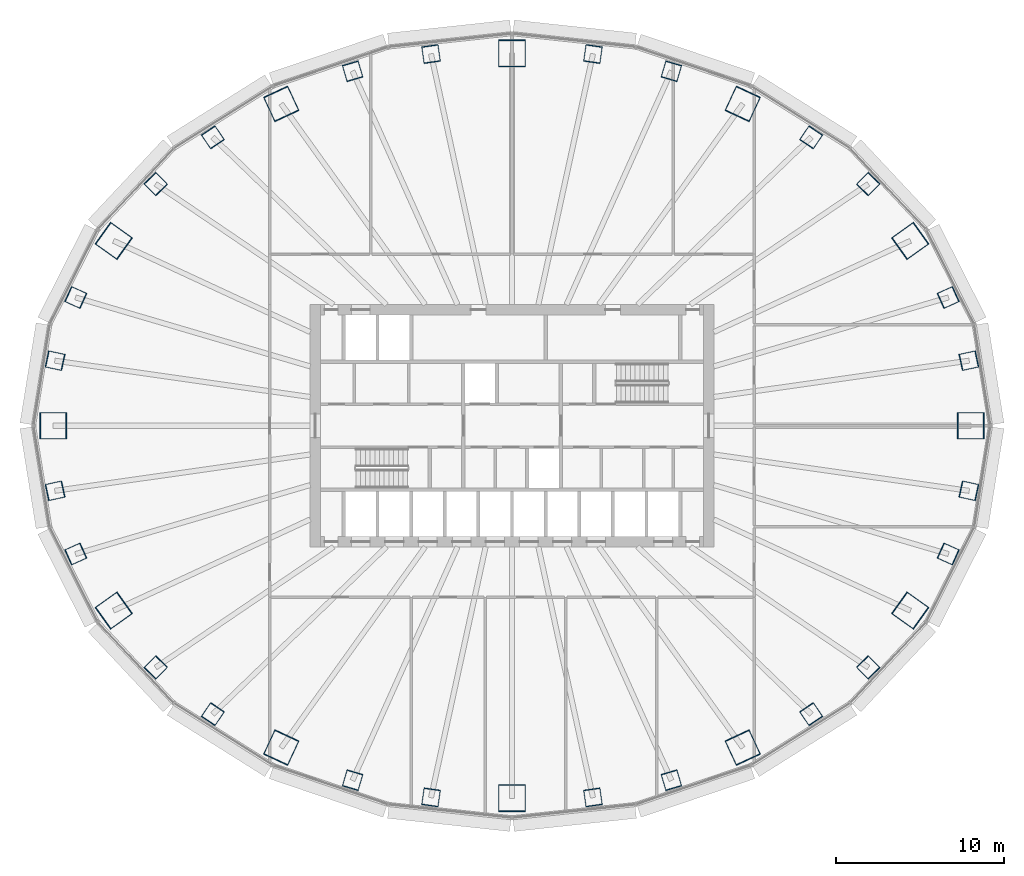
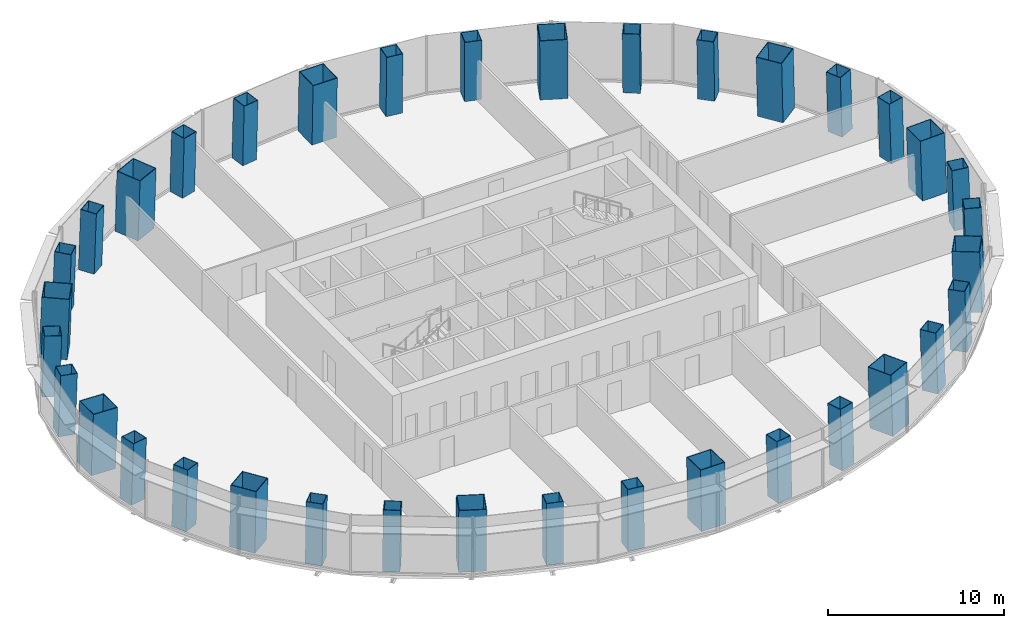
# One storey, part 1 of 13: 36 columns.
"""IFC4 building model written with IfcOpenShell, lengths in metres."""

from ifc_helpers import new_model, si_unit, direction, frame, origin, origin_2d, place, context, subcontext, project, spatial, hollow_rectangle, extrude, material, material_profile, profile_set, type_object, element, save


model = new_model("IFC4")

# Units and contexts
model_context = context("Model", 3, precision=1e-05, world=origin(), true_north=direction((0.0, 1.0)))
body_context = subcontext(model_context, "Body", "Model", "MODEL_VIEW")
ifc_project = project(units=[si_unit("LENGTHUNIT", "METRE"), si_unit("AREAUNIT", "SQUARE_METRE"), si_unit("VOLUMEUNIT", "CUBIC_METRE"), si_unit("PLANEANGLEUNIT", "RADIAN"), si_unit("MASSUNIT", "GRAM", prefix="KILO")], contexts=[model_context])

# Site, building, storey
site_placement = place(None, origin())
site = spatial("IfcSite", under=ifc_project, at=site_placement, CompositionType="ELEMENT")
building_placement = place(site_placement, origin())
building = spatial("IfcBuilding", under=site, at=building_placement, Name="Siaravel Broadcast Tower", CompositionType="ELEMENT")
storey_placement = place(building_placement, frame((0.0, 0.0, 32.89990234375)))
storey = spatial("IfcBuildingStorey", under=building, at=storey_placement, Name="L06", CompositionType="ELEMENT", Elevation=32.89990234375)

# Columns
ifc_material = material(Name="Concrete C70/85", Category="concrete")
ifc_material_profile_1 = material_profile(ifc_material, hollow_rectangle(XDim=1.0, YDim=1.0, WallThickness=0.031982421875, at=origin_2d()))
ifc_profile_set_1 = profile_set([ifc_material_profile_1], Name="Concrete C70/85")
column_type_1 = type_object("IfcColumnType", Name="COL-CFT BOX 1000x1000x32", PredefinedType="COLUMN", material=ifc_profile_set_1)
for number, where, z_axis, x_axis, name in (
    (1, (27.18994140625, 3.87158203125, 0.0), (-0.034041699, -0.004879697, 0.999408501), (0.211308706, -0.977416364, 0.002425246), "Perimeter column C01"),
    (2, (25.959716796875, 7.632568359375, 0.0), (-0.032531808, -0.00970145, 0.999423616), (0.409521183, -0.912289636, 0.004474511), "Perimeter column C02"),
):
    element("IfcColumn", number, at=place(storey_placement, frame(where, z_axis=z_axis, x_axis=x_axis)), inside=storey, type_object=column_type_1, Name=name, PredefinedType="COLUMN", context=body_context, shape_type="SweptSolid", body=[
        extrude(hollow_rectangle(XDim=1.0, YDim=1.0, WallThickness=0.031982421875, at=origin_2d()), origin(), (0.0, 0.0, 1.0), 4.20263671875),
    ])
column_1_placement = place(storey_placement, frame((21.19970703125, 14.382568359375, 0.0), z_axis=(-0.026549804, -0.018242097, 0.999481032), x_axis=(0.719600401, -0.694358526, 0.006442037)))
element("IfcColumn", 3, at=column_1_placement, inside=storey, type_object=column_type_1, Name="Perimeter column C03", PredefinedType="COLUMN", context=body_context, shape_type="SweptSolid", body=[
    extrude(hollow_rectangle(XDim=1.0, YDim=1.0, WallThickness=0.031982421875, at=origin_2d()), origin(), (0.0, 0.0, 1.0), 4.202392578125),
])
column_2_placement = place(storey_placement, frame((17.80419921875, 17.163330078125, 0.0), z_axis=(-0.022193426, -0.021728642, 0.999517543), x_axis=(0.828409082, -0.560089034, 0.006218261)))
element("IfcColumn", 4, at=column_2_placement, inside=storey, type_object=column_type_1, Name="Perimeter column C04", PredefinedType="COLUMN", context=body_context, shape_type="SweptSolid", body=[
    extrude(hollow_rectangle(XDim=1.0, YDim=1.0, WallThickness=0.031982421875, at=origin_2d()), origin(), (0.0, 0.0, 1.0), 4.2021484375),
])
for number, where, z_axis, x_axis, name in (
    (5, (9.486083984375, 21.095947265625, 0.0), (-0.011852675, -0.026610418, 0.99957561), (0.959296522, -0.282374397, 0.003857767), "Perimeter column C05"),
    (6, (4.81787109375, 22.12060546875, 0.0), (-0.006042634, -0.027947183, 0.999591137), (0.98993999, -0.141473321, 0.002028894), "Perimeter column C06"),
    (7, (-4.81787109375, 22.12060546875, 0.0), (0.006042634, -0.027947183, 0.999591137), (0.98993999, 0.141473321, -0.002028894), "Perimeter column C07"),
    (8, (-9.486083984375, 21.095947265625, 0.0), (0.011852675, -0.026610418, 0.99957561), (0.959296522, 0.282374397, -0.003857767), "Perimeter column C08"),
):
    element("IfcColumn", number, at=place(storey_placement, frame(where, z_axis=z_axis, x_axis=x_axis)), inside=storey, type_object=column_type_1, Name=name, PredefinedType="COLUMN", context=body_context, shape_type="SweptSolid", body=[
        extrude(hollow_rectangle(XDim=1.0, YDim=1.0, WallThickness=0.031982421875, at=origin_2d()), origin(), (0.0, 0.0, 1.0), 4.201904296875),
    ])
column_3_placement = place(storey_placement, frame((-17.80419921875, 17.163330078125, 0.0), z_axis=(0.022193426, -0.021728642, 0.999517543), x_axis=(0.828409082, 0.560089034, -0.006218261)))
element("IfcColumn", 9, at=column_3_placement, inside=storey, type_object=column_type_1, Name="Perimeter column C09", PredefinedType="COLUMN", context=body_context, shape_type="SweptSolid", body=[
    extrude(hollow_rectangle(XDim=1.0, YDim=1.0, WallThickness=0.031982421875, at=origin_2d()), origin(), (0.0, 0.0, 1.0), 4.2021484375),
])
column_4_placement = place(storey_placement, frame((-21.19970703125, 14.382568359375, 0.0), z_axis=(0.026549804, -0.018242097, 0.999481032), x_axis=(0.719600401, 0.694358526, -0.006442037)))
element("IfcColumn", 10, at=column_4_placement, inside=storey, type_object=column_type_1, Name="Perimeter column C10", PredefinedType="COLUMN", context=body_context, shape_type="SweptSolid", body=[
    extrude(hollow_rectangle(XDim=1.0, YDim=1.0, WallThickness=0.031982421875, at=origin_2d()), origin(), (0.0, 0.0, 1.0), 4.202392578125),
])
for number, where, z_axis, x_axis, name in (
    (11, (-25.959716796875, 7.632568359375, 0.0), (0.032531808, -0.00970145, 0.999423616), (0.409521183, 0.912289636, -0.004474511), "Perimeter column C11"),
    (12, (-27.18994140625, 3.87158203125, 0.0), (0.034041699, -0.004879697, 0.999408501), (0.211308706, 0.977416364, -0.002425246), "Perimeter column C12"),
    (13, (-27.18994140625, -3.87158203125, 0.0), (0.034041699, 0.004879697, 0.999408501), (-0.211308706, 0.977416364, 0.002425246), "Perimeter column C13"),
    (14, (-25.959716796875, -7.632568359375, 0.0), (0.032531808, 0.00970145, 0.999423616), (-0.409521183, 0.912289636, 0.004474511), "Perimeter column C14"),
):
    element("IfcColumn", number, at=place(storey_placement, frame(where, z_axis=z_axis, x_axis=x_axis)), inside=storey, type_object=column_type_1, Name=name, PredefinedType="COLUMN", context=body_context, shape_type="SweptSolid", body=[
        extrude(hollow_rectangle(XDim=1.0, YDim=1.0, WallThickness=0.031982421875, at=origin_2d()), origin(), (0.0, 0.0, 1.0), 4.20263671875),
    ])
column_5_placement = place(storey_placement, frame((-21.19970703125, -14.382568359375, 0.0), z_axis=(0.026549804, 0.018242097, 0.999481032), x_axis=(-0.719600401, 0.694358526, 0.006442037)))
element("IfcColumn", 15, at=column_5_placement, inside=storey, type_object=column_type_1, Name="Perimeter column C15", PredefinedType="COLUMN", context=body_context, shape_type="SweptSolid", body=[
    extrude(hollow_rectangle(XDim=1.0, YDim=1.0, WallThickness=0.031982421875, at=origin_2d()), origin(), (0.0, 0.0, 1.0), 4.202392578125),
])
column_6_placement = place(storey_placement, frame((-17.80419921875, -17.163330078125, 0.0), z_axis=(0.022193426, 0.021728642, 0.999517543), x_axis=(-0.828409082, 0.560089034, 0.006218261)))
element("IfcColumn", 16, at=column_6_placement, inside=storey, type_object=column_type_1, Name="Perimeter column C16", PredefinedType="COLUMN", context=body_context, shape_type="SweptSolid", body=[
    extrude(hollow_rectangle(XDim=1.0, YDim=1.0, WallThickness=0.031982421875, at=origin_2d()), origin(), (0.0, 0.0, 1.0), 4.2021484375),
])
for number, where, z_axis, x_axis, name in (
    (17, (-9.486083984375, -21.095947265625, 0.0), (0.011852675, 0.026610418, 0.99957561), (-0.959296522, 0.282374397, 0.003857767), "Perimeter column C17"),
    (18, (-4.81787109375, -22.12060546875, 0.0), (0.006042634, 0.027947183, 0.999591137), (-0.98993999, 0.141473321, 0.002028894), "Perimeter column C18"),
    (19, (4.81787109375, -22.12060546875, 0.0), (-0.006042634, 0.027947183, 0.999591137), (-0.98993999, -0.141473321, -0.002028894), "Perimeter column C19"),
    (20, (9.486083984375, -21.095947265625, 0.0), (-0.011852675, 0.026610418, 0.99957561), (-0.959296522, -0.282374397, -0.003857767), "Perimeter column C20"),
):
    element("IfcColumn", number, at=place(storey_placement, frame(where, z_axis=z_axis, x_axis=x_axis)), inside=storey, type_object=column_type_1, Name=name, PredefinedType="COLUMN", context=body_context, shape_type="SweptSolid", body=[
        extrude(hollow_rectangle(XDim=1.0, YDim=1.0, WallThickness=0.031982421875, at=origin_2d()), origin(), (0.0, 0.0, 1.0), 4.201904296875),
    ])
column_7_placement = place(storey_placement, frame((17.80419921875, -17.163330078125, 0.0), z_axis=(-0.022193426, 0.021728642, 0.999517543), x_axis=(-0.828409082, -0.560089034, -0.006218261)))
element("IfcColumn", 21, at=column_7_placement, inside=storey, type_object=column_type_1, Name="Perimeter column C21", PredefinedType="COLUMN", context=body_context, shape_type="SweptSolid", body=[
    extrude(hollow_rectangle(XDim=1.0, YDim=1.0, WallThickness=0.031982421875, at=origin_2d()), origin(), (0.0, 0.0, 1.0), 4.2021484375),
])
column_8_placement = place(storey_placement, frame((21.19970703125, -14.382568359375, 0.0), z_axis=(-0.026549804, 0.018242097, 0.999481032), x_axis=(-0.719600401, -0.694358526, -0.006442037)))
element("IfcColumn", 22, at=column_8_placement, inside=storey, type_object=column_type_1, Name="Perimeter column C22", PredefinedType="COLUMN", context=body_context, shape_type="SweptSolid", body=[
    extrude(hollow_rectangle(XDim=1.0, YDim=1.0, WallThickness=0.031982421875, at=origin_2d()), origin(), (0.0, 0.0, 1.0), 4.202392578125),
])
for number, where, z_axis, x_axis, name in (
    (23, (25.959716796875, -7.632568359375, 0.0), (-0.032531808, 0.00970145, 0.999423616), (-0.409521183, -0.912289636, -0.004474511), "Perimeter column C23"),
    (24, (27.18994140625, -3.87158203125, 0.0), (-0.034041699, 0.004879697, 0.999408501), (-0.211308706, -0.977416364, -0.002425246), "Perimeter column C24"),
):
    element("IfcColumn", number, at=place(storey_placement, frame(where, z_axis=z_axis, x_axis=x_axis)), inside=storey, type_object=column_type_1, Name=name, PredefinedType="COLUMN", context=body_context, shape_type="SweptSolid", body=[
        extrude(hollow_rectangle(XDim=1.0, YDim=1.0, WallThickness=0.031982421875, at=origin_2d()), origin(), (0.0, 0.0, 1.0), 4.20263671875),
    ])
ifc_material_profile_2 = material_profile(ifc_material, hollow_rectangle(XDim=1.60009765625, YDim=1.60009765625, WallThickness=0.0400390625, at=origin_2d()))
ifc_profile_set_2 = profile_set([ifc_material_profile_2], Name="Concrete C70/85")
column_type_2 = type_object("IfcColumnType", Name="COL-CFT BOX 1600x1600x40", PredefinedType="COLUMN", material=ifc_profile_set_2)
column_9_placement = place(storey_placement, frame((27.3037109375, 0.0, 0.0), z_axis=(-0.034622337, 0.0, 0.999400467), x_axis=(0.0, -1.0, 0.0)))
element("IfcColumn", 25, at=column_9_placement, inside=storey, type_object=column_type_2, Name="Megacolumn MC01", PredefinedType="COLUMN", context=body_context, shape_type="SweptSolid", body=[
    extrude(hollow_rectangle(XDim=1.60009765625, YDim=1.60009765625, WallThickness=0.0400390625, at=origin_2d()), origin(), (0.0, 0.0, 1.0), 4.20263671875),
])
column_10_placement = place(storey_placement, frame((23.69921875, 10.9990234375, 0.0), z_axis=(-0.029976556, -0.014116866, 0.999450909), x_axis=(0.580588206, -0.81417588, 0.00591367)))
element("IfcColumn", 26, at=column_10_placement, inside=storey, type_object=column_type_2, Name="Megacolumn MC02", PredefinedType="COLUMN", context=body_context, shape_type="SweptSolid", body=[
    extrude(hollow_rectangle(XDim=1.60009765625, YDim=1.60009765625, WallThickness=0.0400390625, at=origin_2d()), origin(), (0.0, 0.0, 1.0), 4.202392578125),
])
column_11_placement = place(storey_placement, frame((13.7314453125, 19.154296875, 0.0), z_axis=(-0.017313749, -0.024518128, 0.999549446), x_axis=(0.906980874, -0.421137445, 0.005380162)))
element("IfcColumn", 27, at=column_11_placement, inside=storey, type_object=column_type_2, Name="Megacolumn MC03", PredefinedType="COLUMN", context=body_context, shape_type="SweptSolid", body=[
    extrude(hollow_rectangle(XDim=1.60009765625, YDim=1.60009765625, WallThickness=0.0400390625, at=origin_2d()), origin(), (0.0, 0.0, 1.0), 4.2021484375),
])
column_12_placement = place(storey_placement, frame((0.0, 22.165771484375, 0.0), z_axis=(0.0, -0.028354092, 0.999597942), x_axis=(1.0, 0.0, 0.0)))
element("IfcColumn", 28, at=column_12_placement, inside=storey, type_object=column_type_2, Name="Megacolumn MC04", PredefinedType="COLUMN", context=body_context, shape_type="SweptSolid", body=[
    extrude(hollow_rectangle(XDim=1.60009765625, YDim=1.60009765625, WallThickness=0.0400390625, at=origin_2d()), origin(), (0.0, 0.0, 1.0), 4.201904296875),
])
column_13_placement = place(storey_placement, frame((-13.7314453125, 19.154296875, 0.0), z_axis=(0.017313749, -0.024518128, 0.999549446), x_axis=(0.906980874, 0.421137445, -0.005380162)))
element("IfcColumn", 29, at=column_13_placement, inside=storey, type_object=column_type_2, Name="Megacolumn MC05", PredefinedType="COLUMN", context=body_context, shape_type="SweptSolid", body=[
    extrude(hollow_rectangle(XDim=1.60009765625, YDim=1.60009765625, WallThickness=0.0400390625, at=origin_2d()), origin(), (0.0, 0.0, 1.0), 4.2021484375),
])
column_14_placement = place(storey_placement, frame((-23.69921875, 10.9990234375, 0.0), z_axis=(0.029976556, -0.014116866, 0.999450909), x_axis=(0.580588206, 0.81417588, -0.00591367)))
element("IfcColumn", 30, at=column_14_placement, inside=storey, type_object=column_type_2, Name="Megacolumn MC06", PredefinedType="COLUMN", context=body_context, shape_type="SweptSolid", body=[
    extrude(hollow_rectangle(XDim=1.60009765625, YDim=1.60009765625, WallThickness=0.0400390625, at=origin_2d()), origin(), (0.0, 0.0, 1.0), 4.202392578125),
])
column_15_placement = place(storey_placement, frame((-27.3037109375, 0.0, 0.0), z_axis=(0.034622337, 0.0, 0.999400467), x_axis=(0.0, 1.0, 0.0)))
element("IfcColumn", 31, at=column_15_placement, inside=storey, type_object=column_type_2, Name="Megacolumn MC07", PredefinedType="COLUMN", context=body_context, shape_type="SweptSolid", body=[
    extrude(hollow_rectangle(XDim=1.60009765625, YDim=1.60009765625, WallThickness=0.0400390625, at=origin_2d()), origin(), (0.0, 0.0, 1.0), 4.20263671875),
])
column_16_placement = place(storey_placement, frame((-23.69921875, -10.9990234375, 0.0), z_axis=(0.029976556, 0.014116866, 0.999450909), x_axis=(-0.580588206, 0.81417588, 0.00591367)))
element("IfcColumn", 32, at=column_16_placement, inside=storey, type_object=column_type_2, Name="Megacolumn MC08", PredefinedType="COLUMN", context=body_context, shape_type="SweptSolid", body=[
    extrude(hollow_rectangle(XDim=1.60009765625, YDim=1.60009765625, WallThickness=0.0400390625, at=origin_2d()), origin(), (0.0, 0.0, 1.0), 4.202392578125),
])
column_17_placement = place(storey_placement, frame((-13.7314453125, -19.154296875, 0.0), z_axis=(0.017313749, 0.024518128, 0.999549446), x_axis=(-0.906980874, 0.421137445, 0.005380162)))
element("IfcColumn", 33, at=column_17_placement, inside=storey, type_object=column_type_2, Name="Megacolumn MC09", PredefinedType="COLUMN", context=body_context, shape_type="SweptSolid", body=[
    extrude(hollow_rectangle(XDim=1.60009765625, YDim=1.60009765625, WallThickness=0.0400390625, at=origin_2d()), origin(), (0.0, 0.0, 1.0), 4.2021484375),
])
column_18_placement = place(storey_placement, frame((0.0, -22.165771484375, 0.0), z_axis=(0.0, 0.028354092, 0.999597942), x_axis=(-1.0, 0.0, 0.0)))
element("IfcColumn", 34, at=column_18_placement, inside=storey, type_object=column_type_2, Name="Megacolumn MC10", PredefinedType="COLUMN", context=body_context, shape_type="SweptSolid", body=[
    extrude(hollow_rectangle(XDim=1.60009765625, YDim=1.60009765625, WallThickness=0.0400390625, at=origin_2d()), origin(), (0.0, 0.0, 1.0), 4.201904296875),
])
column_19_placement = place(storey_placement, frame((13.7314453125, -19.154296875, 0.0), z_axis=(-0.017313749, 0.024518128, 0.999549446), x_axis=(-0.906980874, -0.421137445, -0.005380162)))
element("IfcColumn", 35, at=column_19_placement, inside=storey, type_object=column_type_2, Name="Megacolumn MC11", PredefinedType="COLUMN", context=body_context, shape_type="SweptSolid", body=[
    extrude(hollow_rectangle(XDim=1.60009765625, YDim=1.60009765625, WallThickness=0.0400390625, at=origin_2d()), origin(), (0.0, 0.0, 1.0), 4.2021484375),
])
column_20_placement = place(storey_placement, frame((23.69921875, -10.9990234375, 0.0), z_axis=(-0.029976556, 0.014116866, 0.999450909), x_axis=(-0.580588206, -0.81417588, -0.00591367)))
element("IfcColumn", 36, at=column_20_placement, inside=storey, type_object=column_type_2, Name="Megacolumn MC12", PredefinedType="COLUMN", context=body_context, shape_type="SweptSolid", body=[
    extrude(hollow_rectangle(XDim=1.60009765625, YDim=1.60009765625, WallThickness=0.0400390625, at=origin_2d()), origin(), (0.0, 0.0, 1.0), 4.202392578125),
])

save(model, "model.ifc")
